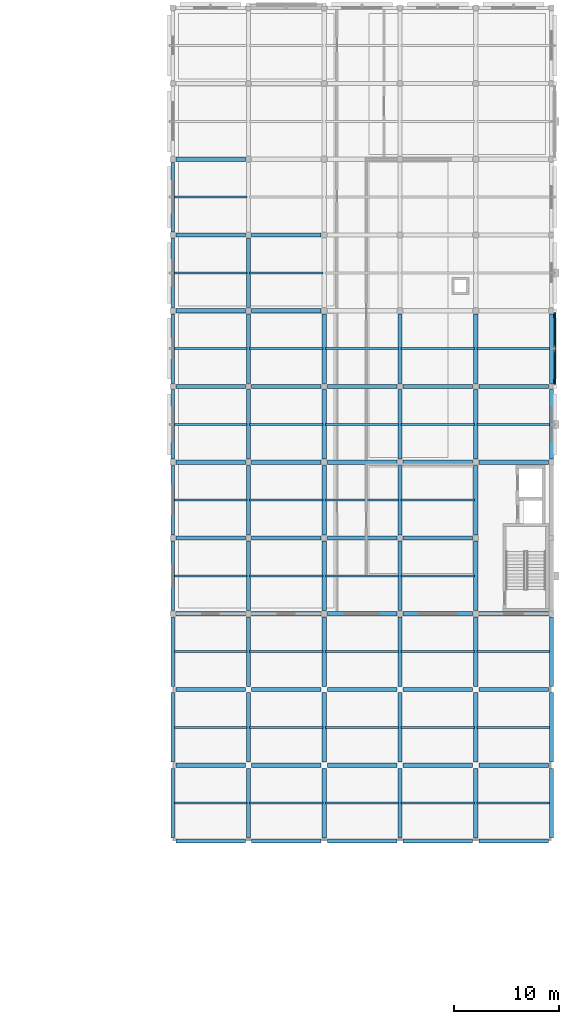
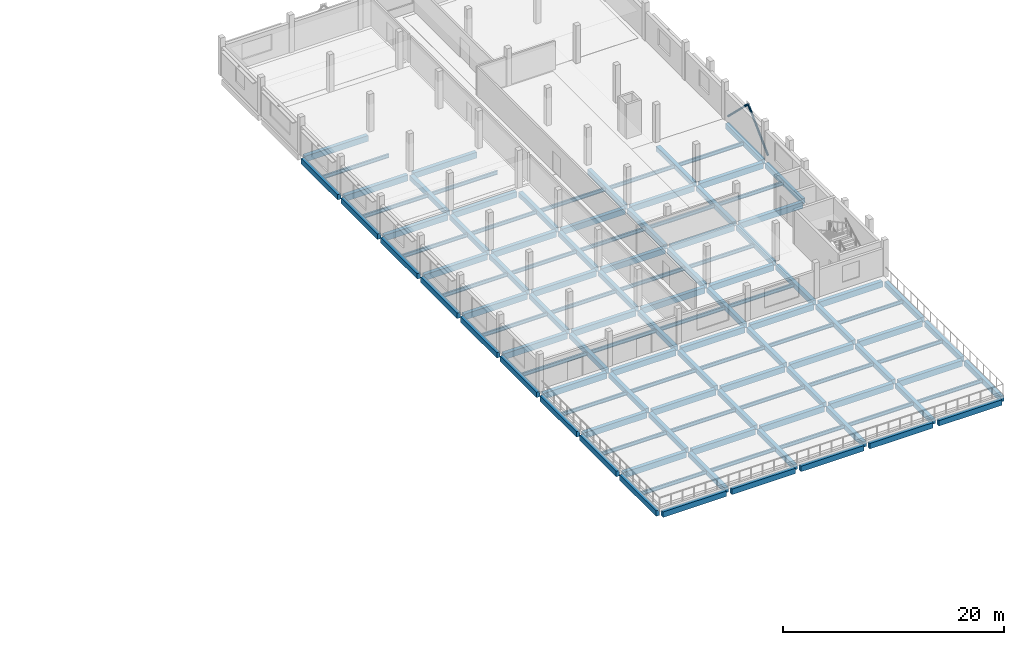
# One storey, part 12 of 33: 118 beams, 2 members.
"""IFC4 building model written with IfcOpenShell, lengths in metres."""

from ifc_helpers import new_model, si_unit, direction, frame, origin, origin_2d, place, context, subcontext, project, spatial, rectangle, hollow_circle, i_section, extrude, material, material_profile, profile_set, type_object, element, save


model = new_model("IFC4")

# Units and contexts
model_context = context("Model", 3, precision=1e-05, world=origin(), true_north=direction((0.0, 1.0)))
body_context = subcontext(model_context, "Body", "Model", "MODEL_VIEW")
ifc_project = project(units=[si_unit("LENGTHUNIT", "METRE"), si_unit("AREAUNIT", "SQUARE_METRE"), si_unit("VOLUMEUNIT", "CUBIC_METRE"), si_unit("PLANEANGLEUNIT", "RADIAN"), si_unit("MASSUNIT", "GRAM", prefix="KILO")], contexts=[model_context])

# Site, building, storey
site_placement = place(None, origin())
site = spatial("IfcSite", under=ifc_project, at=site_placement, CompositionType="ELEMENT")
building_placement = place(site_placement, origin())
building = spatial("IfcBuilding", under=site, at=building_placement, Name="Valkovuoma Quantum and Materials Research Institute", CompositionType="ELEMENT")
storey_placement = place(building_placement, frame((0.0, 0.0, 21.43994140625)))
storey = spatial("IfcBuildingStorey", under=building, at=storey_placement, Name="L05", CompositionType="ELEMENT", Elevation=21.43994140625)

# Beams
ifc_material_1 = material(Name="Steel S355J2", Category="steel")
ifc_material_profile_1 = material_profile(ifc_material_1, i_section(OverallWidth=0.179931640625, OverallDepth=0.39990234375, WebThickness=0.008544921875, FlangeThickness=0.013427734375, FilletRadius=0.02099609375, at=origin_2d()), Name="Steel S355J2")
ifc_profile_set_1 = profile_set([ifc_material_profile_1], Name="Steel S355J2")
beam_type_1 = type_object("IfcBeamType", Name="Beam-B-JST400", PredefinedType="JOIST", material=ifc_profile_set_1)
for number, where, z_axis, x_axis, name in (
    (1, (129.719970703125, 39.60009765625, -0.550048828125), (1.0, 0.0, 0.0), (0.0, 1.0, 0.0), "L05 floor joist 2261"),
    (2, (136.919921875, 39.60009765625, -0.550048828125), (1.0, 0.0, 0.0), (0.0, 1.0, 0.0), "L05 floor joist 2262"),
    (3, (144.1201171875, 39.60009765625, -0.550048828125), (1.0, 0.0, 0.0), (0.0, 1.0, 0.0), "L05 floor joist 2263"),
    (4, (151.320068359375, 39.60009765625, -0.550048828125), (1.0, 0.0, 0.0), (0.0, 1.0, 0.0), "L05 floor joist 2264"),
    (5, (158.52001953125, 39.60009765625, -0.550048828125), (1.0, 0.0, 0.0), (0.0, 1.0, 0.0), "L05 floor joist 2265"),
    (6, (129.719970703125, 46.800048828125, -0.550048828125), (1.0, 0.0, 0.0), (0.0, 1.0, 0.0), "L05 floor joist 2268"),
    (7, (136.919921875, 46.800048828125, -0.550048828125), (1.0, 0.0, 0.0), (0.0, 1.0, 0.0), "L05 floor joist 2269"),
    (8, (144.1201171875, 46.800048828125, -0.550048828125), (1.0, 0.0, 0.0), (0.0, 1.0, 0.0), "L05 floor joist 2270"),
    (9, (151.320068359375, 46.800048828125, -0.550048828125), (1.0, 0.0, 0.0), (0.0, 1.0, 0.0), "L05 floor joist 2271"),
    (10, (158.52001953125, 46.800048828125, -0.550048828125), (1.0, 0.0, 0.0), (0.0, 1.0, 0.0), "L05 floor joist 2272"),
    (11, (129.719970703125, 54.0, -0.550048828125), (1.0, 0.0, 0.0), (0.0, 1.0, 0.0), "L05 floor joist 2275"),
    (12, (136.919921875, 54.0, -0.550048828125), (1.0, 0.0, 0.0), (0.0, 1.0, 0.0), "L05 floor joist 2276"),
    (13, (144.1201171875, 54.0, -0.550048828125), (1.0, 0.0, 0.0), (0.0, 1.0, 0.0), "L05 floor joist 2277"),
    (14, (151.320068359375, 54.0, -0.550048828125), (1.0, 0.0, 0.0), (0.0, 1.0, 0.0), "L05 floor joist 2278"),
    (15, (158.52001953125, 54.0, -0.550048828125), (1.0, 0.0, 0.0), (0.0, 1.0, 0.0), "L05 floor joist 2279"),
    (16, (129.719970703125, 61.199951171875, -0.550048828125), (1.0, 0.0, 0.0), (0.0, 1.0, 0.0), "L05 floor joist 2282"),
    (17, (136.919921875, 61.199951171875, -0.550048828125), (1.0, 0.0, 0.0), (0.0, 1.0, 0.0), "L05 floor joist 2283"),
    (18, (144.1201171875, 61.199951171875, -0.550048828125), (1.0, 0.0, 0.0), (0.0, 1.0, 0.0), "L05 floor joist 2284"),
    (19, (151.320068359375, 61.199951171875, -0.550048828125), (1.0, 0.0, 0.0), (0.0, 1.0, 0.0), "L05 floor joist 2285"),
    (20, (129.719970703125, 68.39990234375, -0.550048828125), (1.0, 0.0, 0.0), (0.0, 1.0, 0.0), "L05 floor joist 2288"),
    (21, (136.919921875, 68.39990234375, -0.550048828125), (1.0, 0.0, 0.0), (0.0, 1.0, 0.0), "L05 floor joist 2289"),
    (22, (144.1201171875, 68.39990234375, -0.550048828125), (1.0, 0.0, 0.0), (0.0, 1.0, 0.0), "L05 floor joist 2290"),
    (23, (151.320068359375, 68.39990234375, -0.550048828125), (1.0, 0.0, 0.0), (0.0, 1.0, 0.0), "L05 floor joist 2291"),
    (24, (129.719970703125, 75.60009765625, -0.550048828125), (1.0, 0.0, 0.0), (0.0, 1.0, 0.0), "L05 floor joist 2292"),
    (25, (136.919921875, 75.60009765625, -0.550048828125), (1.0, 0.0, 0.0), (0.0, 1.0, 0.0), "L05 floor joist 2293"),
    (26, (144.1201171875, 75.60009765625, -0.550048828125), (1.0, 0.0, 0.0), (0.0, 1.0, 0.0), "L05 floor joist 2294"),
    (27, (151.320068359375, 75.60009765625, -0.550048828125), (1.0, 0.0, 0.0), (0.0, 1.0, 0.0), "L05 floor joist 2295"),
    (28, (158.52001953125, 75.60009765625, -0.550048828125), (1.0, 0.0, 0.0), (0.0, 1.0, 0.0), "L05 floor joist 2296"),
    (29, (129.719970703125, 82.800048828125, -0.550048828125), (1.0, 0.0, 0.0), (0.0, 1.0, 0.0), "L05 floor joist 2297"),
    (30, (136.919921875, 82.800048828125, -0.550048828125), (1.0, 0.0, 0.0), (0.0, 1.0, 0.0), "L05 floor joist 2298"),
    (31, (144.1201171875, 82.800048828125, -0.550048828125), (1.0, 0.0, 0.0), (0.0, 1.0, 0.0), "L05 floor joist 2299"),
    (32, (151.320068359375, 82.800048828125, -0.550048828125), (1.0, 0.0, 0.0), (0.0, 1.0, 0.0), "L05 floor joist 2300"),
    (33, (158.52001953125, 82.800048828125, -0.550048828125), (1.0, 0.0, 0.0), (0.0, 1.0, 0.0), "L05 floor joist 2301"),
    (34, (129.719970703125, 90.0, -0.550048828125), (1.0, 0.0, 0.0), (0.0, 1.0, 0.0), "L05 floor joist 2304"),
    (35, (136.919921875, 90.0, -0.550048828125), (1.0, 0.0, 0.0), (0.0, 1.0, 0.0), "L05 floor joist 2305"),
    (36, (129.719970703125, 97.199951171875, -0.550048828125), (1.0, 0.0, 0.0), (0.0, 1.0, 0.0), "L05 floor joist 2309"),
):
    element("IfcBeam", number, at=place(storey_placement, frame(where, z_axis=z_axis, x_axis=x_axis)), inside=storey, type_object=beam_type_1, Name=name, PredefinedType="JOIST", context=body_context, shape_type="SweptSolid", body=[
        extrude(i_section(OverallWidth=0.179931640625, OverallDepth=0.39990234375, WebThickness=0.008544921875, FlangeThickness=0.013427734375, FilletRadius=0.02099609375, at=origin_2d()), origin(), (0.0, 0.0, 1.0), 6.9599609375),
    ])
ifc_material_2 = material(Name="Concrete C40/50", Category="concrete")
ifc_material_profile_2 = material_profile(ifc_material_2, rectangle(XDim=0.39990234375, YDim=0.550048828125, at=origin_2d()), Name="Concrete C40/50")
ifc_profile_set_2 = profile_set([ifc_material_profile_2], Name="Concrete C40/50")
beam_type_2 = type_object("IfcBeamType", Name="Beam-B-RC550", PredefinedType="BEAM", material=ifc_profile_set_2)
beam_1_placement = place(storey_placement, frame((136.800048828125, 36.300048828125, -0.625), z_axis=(0.0, 1.0, 0.0), x_axis=(-1.0, 0.0, 0.0)))
element("IfcBeam", 37, at=beam_1_placement, inside=storey, type_object=beam_type_2, Name="L05 beam Y-2207", PredefinedType="BEAM", context=body_context, shape_type="SweptSolid", body=[
    extrude(rectangle(XDim=0.39990234375, YDim=0.550048828125, at=origin_2d()), origin(), (0.0, 0.0, 1.0), 6.599853515625),
])
for number, where, z_axis, x_axis, name in (
    (38, (136.800048828125, 43.5, -0.625), (0.0, 1.0, 0.0), (-1.0, 0.0, 0.0), "L05 beam Y-2208"),
    (39, (136.800048828125, 50.699951171875, -0.625), (0.0, 1.0, 0.0), (-1.0, 0.0, 0.0), "L05 beam Y-2209"),
    (40, (136.800048828125, 57.89990234375, -0.625), (0.0, 1.0, 0.0), (-1.0, 0.0, 0.0), "L05 beam Y-2210"),
):
    element("IfcBeam", number, at=place(storey_placement, frame(where, z_axis=z_axis, x_axis=x_axis)), inside=storey, type_object=beam_type_2, Name=name, PredefinedType="BEAM", context=body_context, shape_type="SweptSolid", body=[
        extrude(rectangle(XDim=0.39990234375, YDim=0.550048828125, at=origin_2d()), origin(), (0.0, 0.0, 1.0), 6.60009765625),
    ])
for number, where, z_axis, x_axis, name in (
    (41, (136.800048828125, 65.10009765625, -0.625), (0.0, 1.0, 0.0), (-1.0, 0.0, 0.0), "L05 beam Y-2211"),
    (42, (136.800048828125, 72.300048828125, -0.625), (0.0, 1.0, 0.0), (-1.0, 0.0, 0.0), "L05 beam Y-2212"),
):
    element("IfcBeam", number, at=place(storey_placement, frame(where, z_axis=z_axis, x_axis=x_axis)), inside=storey, type_object=beam_type_2, Name=name, PredefinedType="BEAM", context=body_context, shape_type="SweptSolid", body=[
        extrude(rectangle(XDim=0.39990234375, YDim=0.550048828125, at=origin_2d()), origin(), (0.0, 0.0, 1.0), 6.599853515625),
    ])
for number, where, z_axis, x_axis, name in (
    (43, (136.800048828125, 79.5, -0.625), (0.0, 1.0, 0.0), (-1.0, 0.0, 0.0), "L05 beam Y-2213"),
    (44, (136.800048828125, 86.699951171875, -0.625), (0.0, 1.0, 0.0), (-1.0, 0.0, 0.0), "L05 beam Y-2214"),
):
    element("IfcBeam", number, at=place(storey_placement, frame(where, z_axis=z_axis, x_axis=x_axis)), inside=storey, type_object=beam_type_2, Name=name, PredefinedType="BEAM", context=body_context, shape_type="SweptSolid", body=[
        extrude(rectangle(XDim=0.39990234375, YDim=0.550048828125, at=origin_2d()), origin(), (0.0, 0.0, 1.0), 6.60009765625),
    ])
beam_2_placement = place(storey_placement, frame((144.0, 36.300048828125, -0.625), z_axis=(0.0, 1.0, 0.0), x_axis=(-1.0, 0.0, 0.0)))
element("IfcBeam", 45, at=beam_2_placement, inside=storey, type_object=beam_type_2, Name="L05 beam Y-2218", PredefinedType="BEAM", context=body_context, shape_type="SweptSolid", body=[
    extrude(rectangle(XDim=0.39990234375, YDim=0.550048828125, at=origin_2d()), origin(), (0.0, 0.0, 1.0), 6.599853515625),
])
for number, where, z_axis, x_axis, name in (
    (46, (144.0, 43.5, -0.625), (0.0, 1.0, 0.0), (-1.0, 0.0, 0.0), "L05 beam Y-2219"),
    (47, (144.0, 50.699951171875, -0.625), (0.0, 1.0, 0.0), (-1.0, 0.0, 0.0), "L05 beam Y-2220"),
    (48, (144.0, 57.89990234375, -0.625), (0.0, 1.0, 0.0), (-1.0, 0.0, 0.0), "L05 beam Y-2221"),
):
    element("IfcBeam", number, at=place(storey_placement, frame(where, z_axis=z_axis, x_axis=x_axis)), inside=storey, type_object=beam_type_2, Name=name, PredefinedType="BEAM", context=body_context, shape_type="SweptSolid", body=[
        extrude(rectangle(XDim=0.39990234375, YDim=0.550048828125, at=origin_2d()), origin(), (0.0, 0.0, 1.0), 6.60009765625),
    ])
for number, where, z_axis, x_axis, name in (
    (49, (144.0, 65.10009765625, -0.625), (0.0, 1.0, 0.0), (-1.0, 0.0, 0.0), "L05 beam Y-2222"),
    (50, (144.0, 72.300048828125, -0.625), (0.0, 1.0, 0.0), (-1.0, 0.0, 0.0), "L05 beam Y-2223"),
):
    element("IfcBeam", number, at=place(storey_placement, frame(where, z_axis=z_axis, x_axis=x_axis)), inside=storey, type_object=beam_type_2, Name=name, PredefinedType="BEAM", context=body_context, shape_type="SweptSolid", body=[
        extrude(rectangle(XDim=0.39990234375, YDim=0.550048828125, at=origin_2d()), origin(), (0.0, 0.0, 1.0), 6.599853515625),
    ])
beam_3_placement = place(storey_placement, frame((144.0, 79.5, -0.625), z_axis=(0.0, 1.0, 0.0), x_axis=(-1.0, 0.0, 0.0)))
element("IfcBeam", 51, at=beam_3_placement, inside=storey, type_object=beam_type_2, Name="L05 beam Y-2224", PredefinedType="BEAM", context=body_context, shape_type="SweptSolid", body=[
    extrude(rectangle(XDim=0.39990234375, YDim=0.550048828125, at=origin_2d()), origin(), (0.0, 0.0, 1.0), 6.60009765625),
])
beam_4_placement = place(storey_placement, frame((151.199951171875, 36.300048828125, -0.625), z_axis=(0.0, 1.0, 0.0), x_axis=(-1.0, 0.0, 0.0)))
element("IfcBeam", 52, at=beam_4_placement, inside=storey, type_object=beam_type_2, Name="L05 beam Y-2229", PredefinedType="BEAM", context=body_context, shape_type="SweptSolid", body=[
    extrude(rectangle(XDim=0.39990234375, YDim=0.550048828125, at=origin_2d()), origin(), (0.0, 0.0, 1.0), 6.599853515625),
])
for number, where, z_axis, x_axis, name in (
    (53, (151.199951171875, 43.5, -0.625), (0.0, 1.0, 0.0), (-1.0, 0.0, 0.0), "L05 beam Y-2230"),
    (54, (151.199951171875, 50.699951171875, -0.625), (0.0, 1.0, 0.0), (-1.0, 0.0, 0.0), "L05 beam Y-2231"),
    (55, (151.199951171875, 57.89990234375, -0.625), (0.0, 1.0, 0.0), (-1.0, 0.0, 0.0), "L05 beam Y-2232"),
):
    element("IfcBeam", number, at=place(storey_placement, frame(where, z_axis=z_axis, x_axis=x_axis)), inside=storey, type_object=beam_type_2, Name=name, PredefinedType="BEAM", context=body_context, shape_type="SweptSolid", body=[
        extrude(rectangle(XDim=0.39990234375, YDim=0.550048828125, at=origin_2d()), origin(), (0.0, 0.0, 1.0), 6.60009765625),
    ])
for number, where, z_axis, x_axis, name in (
    (56, (151.199951171875, 65.10009765625, -0.625), (0.0, 1.0, 0.0), (-1.0, 0.0, 0.0), "L05 beam Y-2233"),
    (57, (151.199951171875, 72.300048828125, -0.625), (0.0, 1.0, 0.0), (-1.0, 0.0, 0.0), "L05 beam Y-2234"),
):
    element("IfcBeam", number, at=place(storey_placement, frame(where, z_axis=z_axis, x_axis=x_axis)), inside=storey, type_object=beam_type_2, Name=name, PredefinedType="BEAM", context=body_context, shape_type="SweptSolid", body=[
        extrude(rectangle(XDim=0.39990234375, YDim=0.550048828125, at=origin_2d()), origin(), (0.0, 0.0, 1.0), 6.599853515625),
    ])
beam_5_placement = place(storey_placement, frame((151.199951171875, 79.5, -0.625), z_axis=(0.0, 1.0, 0.0), x_axis=(-1.0, 0.0, 0.0)))
element("IfcBeam", 58, at=beam_5_placement, inside=storey, type_object=beam_type_2, Name="L05 beam Y-2235", PredefinedType="BEAM", context=body_context, shape_type="SweptSolid", body=[
    extrude(rectangle(XDim=0.39990234375, YDim=0.550048828125, at=origin_2d()), origin(), (0.0, 0.0, 1.0), 6.60009765625),
])
beam_6_placement = place(storey_placement, frame((158.39990234375, 36.300048828125, -0.625), z_axis=(0.0, 1.0, 0.0), x_axis=(-1.0, 0.0, 0.0)))
element("IfcBeam", 59, at=beam_6_placement, inside=storey, type_object=beam_type_2, Name="L05 beam Y-2240", PredefinedType="BEAM", context=body_context, shape_type="SweptSolid", body=[
    extrude(rectangle(XDim=0.39990234375, YDim=0.550048828125, at=origin_2d()), origin(), (0.0, 0.0, 1.0), 6.599853515625),
])
for number, where, z_axis, x_axis, name in (
    (60, (158.39990234375, 43.5, -0.625), (0.0, 1.0, 0.0), (-1.0, 0.0, 0.0), "L05 beam Y-2241"),
    (61, (158.39990234375, 50.699951171875, -0.625), (0.0, 1.0, 0.0), (-1.0, 0.0, 0.0), "L05 beam Y-2242"),
    (62, (158.39990234375, 57.89990234375, -0.625), (0.0, 1.0, 0.0), (-1.0, 0.0, 0.0), "L05 beam Y-2243"),
):
    element("IfcBeam", number, at=place(storey_placement, frame(where, z_axis=z_axis, x_axis=x_axis)), inside=storey, type_object=beam_type_2, Name=name, PredefinedType="BEAM", context=body_context, shape_type="SweptSolid", body=[
        extrude(rectangle(XDim=0.39990234375, YDim=0.550048828125, at=origin_2d()), origin(), (0.0, 0.0, 1.0), 6.60009765625),
    ])
for number, where, z_axis, x_axis, name in (
    (63, (158.39990234375, 65.10009765625, -0.625), (0.0, 1.0, 0.0), (-1.0, 0.0, 0.0), "L05 beam Y-2244"),
    (64, (158.39990234375, 72.300048828125, -0.625), (0.0, 1.0, 0.0), (-1.0, 0.0, 0.0), "L05 beam Y-2245"),
):
    element("IfcBeam", number, at=place(storey_placement, frame(where, z_axis=z_axis, x_axis=x_axis)), inside=storey, type_object=beam_type_2, Name=name, PredefinedType="BEAM", context=body_context, shape_type="SweptSolid", body=[
        extrude(rectangle(XDim=0.39990234375, YDim=0.550048828125, at=origin_2d()), origin(), (0.0, 0.0, 1.0), 6.599853515625),
    ])
beam_7_placement = place(storey_placement, frame((158.39990234375, 79.5, -0.625), z_axis=(0.0, 1.0, 0.0), x_axis=(-1.0, 0.0, 0.0)))
element("IfcBeam", 65, at=beam_7_placement, inside=storey, type_object=beam_type_2, Name="L05 beam Y-2246", PredefinedType="BEAM", context=body_context, shape_type="SweptSolid", body=[
    extrude(rectangle(XDim=0.39990234375, YDim=0.550048828125, at=origin_2d()), origin(), (0.0, 0.0, 1.0), 6.60009765625),
])
ifc_material_3 = material(Name="Concrete C40/50", Category="concrete")
ifc_material_profile_3 = material_profile(ifc_material_3, rectangle(XDim=0.39990234375, YDim=0.64990234375, at=origin_2d()), Name="Concrete C40/50")
ifc_profile_set_3 = profile_set([ifc_material_profile_3], Name="Concrete C40/50")
beam_type_3 = type_object("IfcBeamType", Name="Beam-B-RC650", PredefinedType="BEAM", material=ifc_profile_set_3)
beam_8_placement = place(storey_placement, frame((129.89990234375, 43.199951171875, -0.675048828125), z_axis=(1.0, 0.0, 0.0), x_axis=(0.0, 1.0, 0.0)))
element("IfcBeam", 66, at=beam_8_placement, inside=storey, type_object=beam_type_3, Name="L05 beam X-2117", PredefinedType="BEAM", context=body_context, shape_type="SweptSolid", body=[
    extrude(rectangle(XDim=0.39990234375, YDim=0.64990234375, at=origin_2d()), origin(), (0.0, 0.0, 1.0), 6.60009765625),
])
for number, where, z_axis, x_axis, name in (
    (67, (137.10009765625, 43.199951171875, -0.675048828125), (1.0, 0.0, 0.0), (0.0, 1.0, 0.0), "L05 beam X-2118"),
    (68, (144.300048828125, 43.199951171875, -0.675048828125), (1.0, 0.0, 0.0), (0.0, 1.0, 0.0), "L05 beam X-2119"),
):
    element("IfcBeam", number, at=place(storey_placement, frame(where, z_axis=z_axis, x_axis=x_axis)), inside=storey, type_object=beam_type_3, Name=name, PredefinedType="BEAM", context=body_context, shape_type="SweptSolid", body=[
        extrude(rectangle(XDim=0.39990234375, YDim=0.64990234375, at=origin_2d()), origin(), (0.0, 0.0, 1.0), 6.599853515625),
    ])
for number, where, z_axis, x_axis, name in (
    (69, (151.5, 43.199951171875, -0.675048828125), (1.0, 0.0, 0.0), (0.0, 1.0, 0.0), "L05 beam X-2120"),
    (70, (158.699951171875, 43.199951171875, -0.675048828125), (1.0, 0.0, 0.0), (0.0, 1.0, 0.0), "L05 beam X-2121"),
    (71, (129.89990234375, 50.39990234375, -0.675048828125), (1.0, 0.0, 0.0), (0.0, 1.0, 0.0), "L05 beam X-2124"),
):
    element("IfcBeam", number, at=place(storey_placement, frame(where, z_axis=z_axis, x_axis=x_axis)), inside=storey, type_object=beam_type_3, Name=name, PredefinedType="BEAM", context=body_context, shape_type="SweptSolid", body=[
        extrude(rectangle(XDim=0.39990234375, YDim=0.64990234375, at=origin_2d()), origin(), (0.0, 0.0, 1.0), 6.60009765625),
    ])
for number, where, z_axis, x_axis, name in (
    (72, (137.10009765625, 50.39990234375, -0.675048828125), (1.0, 0.0, 0.0), (0.0, 1.0, 0.0), "L05 beam X-2125"),
    (73, (144.300048828125, 50.39990234375, -0.675048828125), (1.0, 0.0, 0.0), (0.0, 1.0, 0.0), "L05 beam X-2126"),
):
    element("IfcBeam", number, at=place(storey_placement, frame(where, z_axis=z_axis, x_axis=x_axis)), inside=storey, type_object=beam_type_3, Name=name, PredefinedType="BEAM", context=body_context, shape_type="SweptSolid", body=[
        extrude(rectangle(XDim=0.39990234375, YDim=0.64990234375, at=origin_2d()), origin(), (0.0, 0.0, 1.0), 6.599853515625),
    ])
for number, where, z_axis, x_axis, name in (
    (74, (151.5, 50.39990234375, -0.675048828125), (1.0, 0.0, 0.0), (0.0, 1.0, 0.0), "L05 beam X-2127"),
    (75, (158.699951171875, 50.39990234375, -0.675048828125), (1.0, 0.0, 0.0), (0.0, 1.0, 0.0), "L05 beam X-2128"),
    (76, (129.89990234375, 57.60009765625, -0.675048828125), (1.0, 0.0, 0.0), (0.0, 1.0, 0.0), "L05 beam X-2131"),
):
    element("IfcBeam", number, at=place(storey_placement, frame(where, z_axis=z_axis, x_axis=x_axis)), inside=storey, type_object=beam_type_3, Name=name, PredefinedType="BEAM", context=body_context, shape_type="SweptSolid", body=[
        extrude(rectangle(XDim=0.39990234375, YDim=0.64990234375, at=origin_2d()), origin(), (0.0, 0.0, 1.0), 6.60009765625),
    ])
for number, where, z_axis, x_axis, name in (
    (77, (137.10009765625, 57.60009765625, -0.675048828125), (1.0, 0.0, 0.0), (0.0, 1.0, 0.0), "L05 beam X-2132"),
    (78, (144.300048828125, 57.60009765625, -0.675048828125), (1.0, 0.0, 0.0), (0.0, 1.0, 0.0), "L05 beam X-2133"),
):
    element("IfcBeam", number, at=place(storey_placement, frame(where, z_axis=z_axis, x_axis=x_axis)), inside=storey, type_object=beam_type_3, Name=name, PredefinedType="BEAM", context=body_context, shape_type="SweptSolid", body=[
        extrude(rectangle(XDim=0.39990234375, YDim=0.64990234375, at=origin_2d()), origin(), (0.0, 0.0, 1.0), 6.599853515625),
    ])
for number, where, z_axis, x_axis, name in (
    (79, (151.5, 57.60009765625, -0.675048828125), (1.0, 0.0, 0.0), (0.0, 1.0, 0.0), "L05 beam X-2134"),
    (80, (158.699951171875, 57.60009765625, -0.675048828125), (1.0, 0.0, 0.0), (0.0, 1.0, 0.0), "L05 beam X-2135"),
    (81, (129.89990234375, 64.800048828125, -0.675048828125), (1.0, 0.0, 0.0), (0.0, 1.0, 0.0), "L05 beam X-2138"),
):
    element("IfcBeam", number, at=place(storey_placement, frame(where, z_axis=z_axis, x_axis=x_axis)), inside=storey, type_object=beam_type_3, Name=name, PredefinedType="BEAM", context=body_context, shape_type="SweptSolid", body=[
        extrude(rectangle(XDim=0.39990234375, YDim=0.64990234375, at=origin_2d()), origin(), (0.0, 0.0, 1.0), 6.60009765625),
    ])
for number, where, z_axis, x_axis, name in (
    (82, (137.10009765625, 64.800048828125, -0.675048828125), (1.0, 0.0, 0.0), (0.0, 1.0, 0.0), "L05 beam X-2139"),
    (83, (144.300048828125, 64.800048828125, -0.675048828125), (1.0, 0.0, 0.0), (0.0, 1.0, 0.0), "L05 beam X-2140"),
):
    element("IfcBeam", number, at=place(storey_placement, frame(where, z_axis=z_axis, x_axis=x_axis)), inside=storey, type_object=beam_type_3, Name=name, PredefinedType="BEAM", context=body_context, shape_type="SweptSolid", body=[
        extrude(rectangle(XDim=0.39990234375, YDim=0.64990234375, at=origin_2d()), origin(), (0.0, 0.0, 1.0), 6.599853515625),
    ])
for number, where, z_axis, x_axis, name in (
    (84, (151.5, 64.800048828125, -0.675048828125), (1.0, 0.0, 0.0), (0.0, 1.0, 0.0), "L05 beam X-2141"),
    (85, (129.89990234375, 72.0, -0.675048828125), (1.0, 0.0, 0.0), (0.0, 1.0, 0.0), "L05 beam X-2144"),
):
    element("IfcBeam", number, at=place(storey_placement, frame(where, z_axis=z_axis, x_axis=x_axis)), inside=storey, type_object=beam_type_3, Name=name, PredefinedType="BEAM", context=body_context, shape_type="SweptSolid", body=[
        extrude(rectangle(XDim=0.39990234375, YDim=0.64990234375, at=origin_2d()), origin(), (0.0, 0.0, 1.0), 6.60009765625),
    ])
for number, where, z_axis, x_axis, name in (
    (86, (137.10009765625, 72.0, -0.675048828125), (1.0, 0.0, 0.0), (0.0, 1.0, 0.0), "L05 beam X-2145"),
    (87, (144.300048828125, 72.0, -0.675048828125), (1.0, 0.0, 0.0), (0.0, 1.0, 0.0), "L05 beam X-2146"),
):
    element("IfcBeam", number, at=place(storey_placement, frame(where, z_axis=z_axis, x_axis=x_axis)), inside=storey, type_object=beam_type_3, Name=name, PredefinedType="BEAM", context=body_context, shape_type="SweptSolid", body=[
        extrude(rectangle(XDim=0.39990234375, YDim=0.64990234375, at=origin_2d()), origin(), (0.0, 0.0, 1.0), 6.599853515625),
    ])
for number, where, z_axis, x_axis, name in (
    (88, (151.5, 72.0, -0.675048828125), (1.0, 0.0, 0.0), (0.0, 1.0, 0.0), "L05 beam X-2147"),
    (89, (158.699951171875, 72.0, -0.675048828125), (1.0, 0.0, 0.0), (0.0, 1.0, 0.0), "L05 beam X-2148"),
    (90, (129.89990234375, 79.199951171875, -0.675048828125), (1.0, 0.0, 0.0), (0.0, 1.0, 0.0), "L05 beam X-2149"),
):
    element("IfcBeam", number, at=place(storey_placement, frame(where, z_axis=z_axis, x_axis=x_axis)), inside=storey, type_object=beam_type_3, Name=name, PredefinedType="BEAM", context=body_context, shape_type="SweptSolid", body=[
        extrude(rectangle(XDim=0.39990234375, YDim=0.64990234375, at=origin_2d()), origin(), (0.0, 0.0, 1.0), 6.60009765625),
    ])
for number, where, z_axis, x_axis, name in (
    (91, (137.10009765625, 79.199951171875, -0.675048828125), (1.0, 0.0, 0.0), (0.0, 1.0, 0.0), "L05 beam X-2150"),
    (92, (144.300048828125, 79.199951171875, -0.675048828125), (1.0, 0.0, 0.0), (0.0, 1.0, 0.0), "L05 beam X-2151"),
):
    element("IfcBeam", number, at=place(storey_placement, frame(where, z_axis=z_axis, x_axis=x_axis)), inside=storey, type_object=beam_type_3, Name=name, PredefinedType="BEAM", context=body_context, shape_type="SweptSolid", body=[
        extrude(rectangle(XDim=0.39990234375, YDim=0.64990234375, at=origin_2d()), origin(), (0.0, 0.0, 1.0), 6.599853515625),
    ])
for number, where, z_axis, x_axis, name in (
    (93, (151.5, 79.199951171875, -0.675048828125), (1.0, 0.0, 0.0), (0.0, 1.0, 0.0), "L05 beam X-2152"),
    (94, (158.699951171875, 79.199951171875, -0.675048828125), (1.0, 0.0, 0.0), (0.0, 1.0, 0.0), "L05 beam X-2153"),
    (95, (129.89990234375, 86.39990234375, -0.675048828125), (1.0, 0.0, 0.0), (0.0, 1.0, 0.0), "L05 beam X-2156"),
):
    element("IfcBeam", number, at=place(storey_placement, frame(where, z_axis=z_axis, x_axis=x_axis)), inside=storey, type_object=beam_type_3, Name=name, PredefinedType="BEAM", context=body_context, shape_type="SweptSolid", body=[
        extrude(rectangle(XDim=0.39990234375, YDim=0.64990234375, at=origin_2d()), origin(), (0.0, 0.0, 1.0), 6.60009765625),
    ])
beam_9_placement = place(storey_placement, frame((137.10009765625, 86.39990234375, -0.675048828125), z_axis=(1.0, 0.0, 0.0), x_axis=(0.0, 1.0, 0.0)))
element("IfcBeam", 96, at=beam_9_placement, inside=storey, type_object=beam_type_3, Name="L05 beam X-2157", PredefinedType="BEAM", context=body_context, shape_type="SweptSolid", body=[
    extrude(rectangle(XDim=0.39990234375, YDim=0.64990234375, at=origin_2d()), origin(), (0.0, 0.0, 1.0), 6.599853515625),
])
beam_10_placement = place(storey_placement, frame((129.89990234375, 93.60009765625, -0.675048828125), z_axis=(1.0, 0.0, 0.0), x_axis=(0.0, 1.0, 0.0)))
element("IfcBeam", 97, at=beam_10_placement, inside=storey, type_object=beam_type_3, Name="L05 beam X-2163", PredefinedType="BEAM", context=body_context, shape_type="SweptSolid", body=[
    extrude(rectangle(XDim=0.39990234375, YDim=0.64990234375, at=origin_2d()), origin(), (0.0, 0.0, 1.0), 6.60009765625),
])
beam_11_placement = place(storey_placement, frame((137.10009765625, 93.60009765625, -0.675048828125), z_axis=(1.0, 0.0, 0.0), x_axis=(0.0, 1.0, 0.0)))
element("IfcBeam", 98, at=beam_11_placement, inside=storey, type_object=beam_type_3, Name="L05 beam X-2164", PredefinedType="BEAM", context=body_context, shape_type="SweptSolid", body=[
    extrude(rectangle(XDim=0.39990234375, YDim=0.64990234375, at=origin_2d()), origin(), (0.0, 0.0, 1.0), 6.599853515625),
])
beam_12_placement = place(storey_placement, frame((129.89990234375, 100.800048828125, -0.675048828125), z_axis=(1.0, 0.0, 0.0), x_axis=(0.0, 1.0, 0.0)))
element("IfcBeam", 99, at=beam_12_placement, inside=storey, type_object=beam_type_3, Name="L05 beam X-2168", PredefinedType="BEAM", context=body_context, shape_type="SweptSolid", body=[
    extrude(rectangle(XDim=0.39990234375, YDim=0.64990234375, at=origin_2d()), origin(), (0.0, 0.0, 1.0), 6.60009765625),
])
ifc_material_4 = material(Name="Concrete C40/50", Category="concrete")
ifc_material_profile_4 = material_profile(ifc_material_4, rectangle(XDim=0.35009765625, YDim=0.60009765625, at=origin_2d()), Name="Concrete C40/50")
ifc_profile_set_4 = profile_set([ifc_material_profile_4], Name="Concrete C40/50")
beam_type_4 = type_object("IfcBeamType", Name="Beam-B-SPN600", PredefinedType="SPANDREL", material=ifc_profile_set_4)
beam_13_placement = place(storey_placement, frame((129.89990234375, 36.0, -0.64990234375), z_axis=(1.0, 0.0, 0.0), x_axis=(0.0, 1.0, 0.0)))
element("IfcBeam", 100, at=beam_13_placement, inside=storey, type_object=beam_type_4, Name="L05 beam X-2110", PredefinedType="SPANDREL", context=body_context, shape_type="SweptSolid", body=[
    extrude(rectangle(XDim=0.35009765625, YDim=0.60009765625, at=origin_2d()), origin(), (0.0, 0.0, 1.0), 6.60009765625),
])
for number, where, z_axis, x_axis, name in (
    (101, (137.10009765625, 36.0, -0.64990234375), (1.0, 0.0, 0.0), (0.0, 1.0, 0.0), "L05 beam X-2111"),
    (102, (144.300048828125, 36.0, -0.64990234375), (1.0, 0.0, 0.0), (0.0, 1.0, 0.0), "L05 beam X-2112"),
):
    element("IfcBeam", number, at=place(storey_placement, frame(where, z_axis=z_axis, x_axis=x_axis)), inside=storey, type_object=beam_type_4, Name=name, PredefinedType="SPANDREL", context=body_context, shape_type="SweptSolid", body=[
        extrude(rectangle(XDim=0.35009765625, YDim=0.60009765625, at=origin_2d()), origin(), (0.0, 0.0, 1.0), 6.599853515625),
    ])
for number, where, z_axis, x_axis, name in (
    (103, (151.5, 36.0, -0.64990234375), (1.0, 0.0, 0.0), (0.0, 1.0, 0.0), "L05 beam X-2113"),
    (104, (158.699951171875, 36.0, -0.64990234375), (1.0, 0.0, 0.0), (0.0, 1.0, 0.0), "L05 beam X-2114"),
):
    element("IfcBeam", number, at=place(storey_placement, frame(where, z_axis=z_axis, x_axis=x_axis)), inside=storey, type_object=beam_type_4, Name=name, PredefinedType="SPANDREL", context=body_context, shape_type="SweptSolid", body=[
        extrude(rectangle(XDim=0.35009765625, YDim=0.60009765625, at=origin_2d()), origin(), (0.0, 0.0, 1.0), 6.60009765625),
    ])
beam_14_placement = place(storey_placement, frame((129.60009765625, 36.300048828125, -0.64990234375), z_axis=(0.0, 1.0, 0.0), x_axis=(-1.0, 0.0, 0.0)))
element("IfcBeam", 105, at=beam_14_placement, inside=storey, type_object=beam_type_4, Name="L05 beam Y-2196", PredefinedType="SPANDREL", context=body_context, shape_type="SweptSolid", body=[
    extrude(rectangle(XDim=0.35009765625, YDim=0.60009765625, at=origin_2d()), origin(), (0.0, 0.0, 1.0), 6.599853515625),
])
for number, where, z_axis, x_axis, name in (
    (106, (129.60009765625, 43.5, -0.64990234375), (0.0, 1.0, 0.0), (-1.0, 0.0, 0.0), "L05 beam Y-2197"),
    (107, (129.60009765625, 50.699951171875, -0.64990234375), (0.0, 1.0, 0.0), (-1.0, 0.0, 0.0), "L05 beam Y-2198"),
    (108, (129.60009765625, 57.89990234375, -0.64990234375), (0.0, 1.0, 0.0), (-1.0, 0.0, 0.0), "L05 beam Y-2199"),
):
    element("IfcBeam", number, at=place(storey_placement, frame(where, z_axis=z_axis, x_axis=x_axis)), inside=storey, type_object=beam_type_4, Name=name, PredefinedType="SPANDREL", context=body_context, shape_type="SweptSolid", body=[
        extrude(rectangle(XDim=0.35009765625, YDim=0.60009765625, at=origin_2d()), origin(), (0.0, 0.0, 1.0), 6.60009765625),
    ])
for number, where, z_axis, x_axis, name in (
    (109, (129.60009765625, 65.10009765625, -0.64990234375), (0.0, 1.0, 0.0), (-1.0, 0.0, 0.0), "L05 beam Y-2200"),
    (110, (129.60009765625, 72.300048828125, -0.64990234375), (0.0, 1.0, 0.0), (-1.0, 0.0, 0.0), "L05 beam Y-2201"),
):
    element("IfcBeam", number, at=place(storey_placement, frame(where, z_axis=z_axis, x_axis=x_axis)), inside=storey, type_object=beam_type_4, Name=name, PredefinedType="SPANDREL", context=body_context, shape_type="SweptSolid", body=[
        extrude(rectangle(XDim=0.35009765625, YDim=0.60009765625, at=origin_2d()), origin(), (0.0, 0.0, 1.0), 6.599853515625),
    ])
for number, where, z_axis, x_axis, name in (
    (111, (129.60009765625, 79.5, -0.64990234375), (0.0, 1.0, 0.0), (-1.0, 0.0, 0.0), "L05 beam Y-2202"),
    (112, (129.60009765625, 86.699951171875, -0.64990234375), (0.0, 1.0, 0.0), (-1.0, 0.0, 0.0), "L05 beam Y-2203"),
    (113, (129.60009765625, 93.89990234375, -0.64990234375), (0.0, 1.0, 0.0), (-1.0, 0.0, 0.0), "L05 beam Y-2204"),
):
    element("IfcBeam", number, at=place(storey_placement, frame(where, z_axis=z_axis, x_axis=x_axis)), inside=storey, type_object=beam_type_4, Name=name, PredefinedType="SPANDREL", context=body_context, shape_type="SweptSolid", body=[
        extrude(rectangle(XDim=0.35009765625, YDim=0.60009765625, at=origin_2d()), origin(), (0.0, 0.0, 1.0), 6.60009765625),
    ])
beam_15_placement = place(storey_placement, frame((165.60009765625, 36.300048828125, -0.64990234375), z_axis=(0.0, 1.0, 0.0), x_axis=(-1.0, 0.0, 0.0)))
element("IfcBeam", 114, at=beam_15_placement, inside=storey, type_object=beam_type_4, Name="L05 beam Y-2251", PredefinedType="SPANDREL", context=body_context, shape_type="SweptSolid", body=[
    extrude(rectangle(XDim=0.35009765625, YDim=0.60009765625, at=origin_2d()), origin(), (0.0, 0.0, 1.0), 6.599853515625),
])
for number, where, z_axis, x_axis, name in (
    (115, (165.60009765625, 43.5, -0.64990234375), (0.0, 1.0, 0.0), (-1.0, 0.0, 0.0), "L05 beam Y-2252"),
    (116, (165.60009765625, 50.699951171875, -0.64990234375), (0.0, 1.0, 0.0), (-1.0, 0.0, 0.0), "L05 beam Y-2253"),
):
    element("IfcBeam", number, at=place(storey_placement, frame(where, z_axis=z_axis, x_axis=x_axis)), inside=storey, type_object=beam_type_4, Name=name, PredefinedType="SPANDREL", context=body_context, shape_type="SweptSolid", body=[
        extrude(rectangle(XDim=0.35009765625, YDim=0.60009765625, at=origin_2d()), origin(), (0.0, 0.0, 1.0), 6.60009765625),
    ])
beam_16_placement = place(storey_placement, frame((165.60009765625, 72.300048828125, -0.64990234375), z_axis=(0.0, 1.0, 0.0), x_axis=(-1.0, 0.0, 0.0)))
element("IfcBeam", 117, at=beam_16_placement, inside=storey, type_object=beam_type_4, Name="L05 beam Y-2254", PredefinedType="SPANDREL", context=body_context, shape_type="SweptSolid", body=[
    extrude(rectangle(XDim=0.35009765625, YDim=0.60009765625, at=origin_2d()), origin(), (0.0, 0.0, 1.0), 6.599853515625),
])
beam_17_placement = place(storey_placement, frame((165.60009765625, 79.5, -0.64990234375), z_axis=(0.0, 1.0, 0.0), x_axis=(-1.0, 0.0, 0.0)))
element("IfcBeam", 118, at=beam_17_placement, inside=storey, type_object=beam_type_4, Name="L05 beam Y-2255", PredefinedType="SPANDREL", context=body_context, shape_type="SweptSolid", body=[
    extrude(rectangle(XDim=0.35009765625, YDim=0.60009765625, at=origin_2d()), origin(), (0.0, 0.0, 1.0), 6.60009765625),
])

# Members
ifc_material_5 = material(Name="Steel S355J2H", Category="steel")
ifc_material_profile_5 = material_profile(ifc_material_5, hollow_circle(Radius=0.109619140625, WallThickness=0.010009765625, at=origin_2d()), Name="Steel S355J2H")
ifc_profile_set_5 = profile_set([ifc_material_profile_5], Name="Steel S355J2H")
member_type = type_object("IfcMemberType", Name="Mem-M-BRC219", PredefinedType="BRACE", material=ifc_profile_set_5)
member_1_placement = place(storey_placement, frame((165.89990234375, 79.199951171875, 0.10009765625), z_axis=(0.0, 0.716008634166, 0.698091423668), x_axis=(-1.0, 0.0, 0.0)))
element("IfcMember", 119, at=member_1_placement, inside=storey, type_object=member_type, Name="L05 chevron wind brace 13A", PredefinedType="BRACE", context=body_context, shape_type="SweptSolid", body=[
    extrude(hollow_circle(Radius=0.109619140625, WallThickness=0.010009765625, at=origin_2d()), origin(), (0.0, 0.0, 1.0), 5.028076171875),
])
member_2_placement = place(storey_placement, frame((165.89990234375, 86.39990234375, 0.10009765625), z_axis=(0.0, -0.715984969996, 0.69811569438), x_axis=(1.0, 0.0, 0.0)))
element("IfcMember", 120, at=member_2_placement, inside=storey, type_object=member_type, Name="L05 chevron wind brace 13B", PredefinedType="BRACE", context=body_context, shape_type="SweptSolid", body=[
    extrude(hollow_circle(Radius=0.109619140625, WallThickness=0.010009765625, at=origin_2d()), origin(), (0.0, 0.0, 1.0), 5.02783203125),
])

save(model, "model.ifc")
